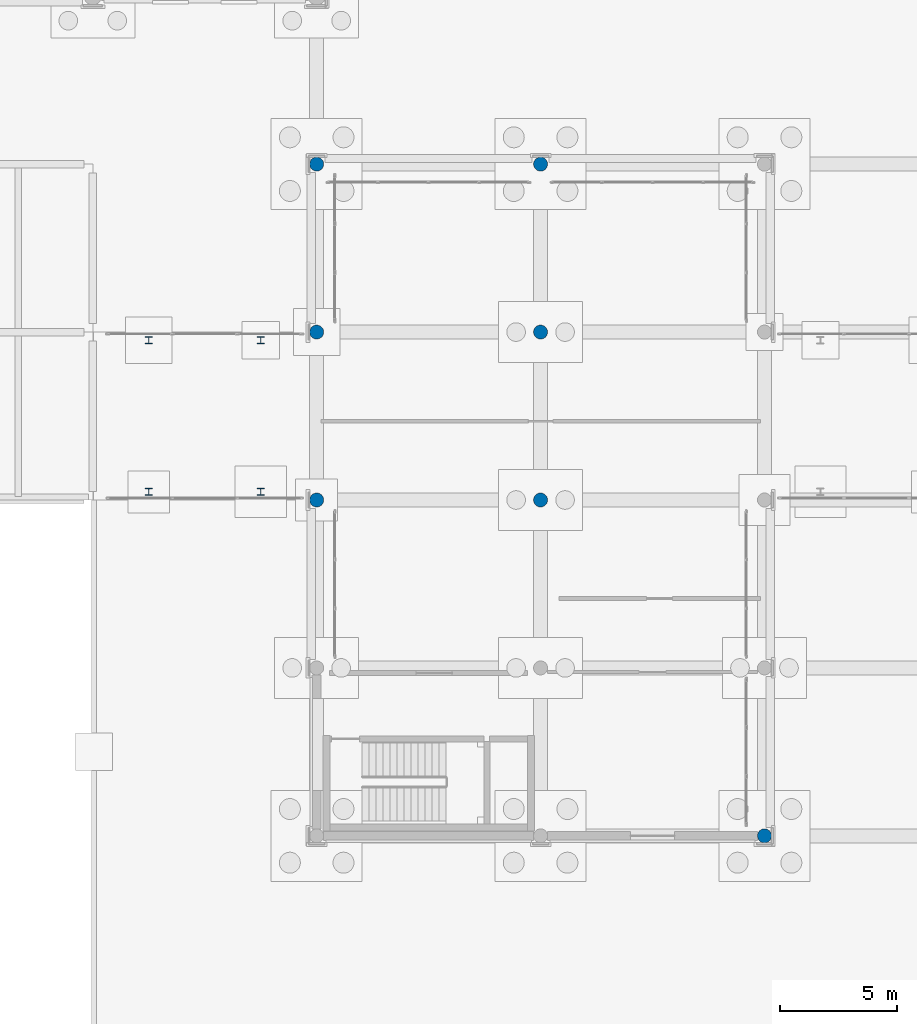
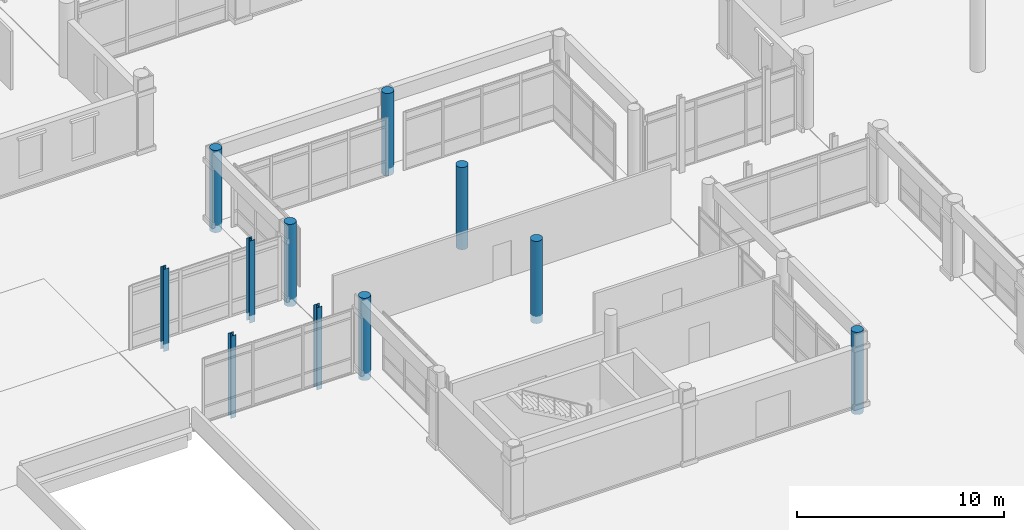
# One storey, part 14 of 196: 11 columns.
"""IFC4 building model written with IfcOpenShell, lengths in metres."""

from ifc_helpers import new_model, si_unit, direction, frame, origin, origin_2d, place, context, subcontext, project, spatial, circle, i_section, extrude, material, material_profile, profile_set, type_object, element, save


model = new_model("IFC4")

# Units and contexts
model_context = context("Model", 3, precision=1e-05, world=origin(), true_north=direction((0.0, 1.0)))
body_context = subcontext(model_context, "Body", "Model", "MODEL_VIEW")
ifc_project = project(units=[si_unit("LENGTHUNIT", "METRE"), si_unit("AREAUNIT", "SQUARE_METRE"), si_unit("VOLUMEUNIT", "CUBIC_METRE"), si_unit("PLANEANGLEUNIT", "RADIAN"), si_unit("MASSUNIT", "GRAM", prefix="KILO")], contexts=[model_context])

# Site, building, storey
site_placement = place(None, origin())
site = spatial("IfcSite", under=ifc_project, at=site_placement, CompositionType="ELEMENT")
building_placement = place(site_placement, origin())
building = spatial("IfcBuilding", under=site, at=building_placement, Name="Asteropetra Specialist Clinic", CompositionType="ELEMENT")
storey_placement = place(building_placement, origin())
storey = spatial("IfcBuildingStorey", under=building, at=storey_placement, Name="L00", CompositionType="ELEMENT", Elevation=0.0)

# Columns
ifc_material_1 = material(Name="Concrete C35/45", Category="concrete")
ifc_material_profile_1 = material_profile(ifc_material_1, circle(Radius=0.300048828125, at=origin_2d()), Name="RCC D600")
ifc_profile_set_1 = profile_set([ifc_material_profile_1], Name="Concrete C35/45")
column_type_1 = type_object("IfcColumnType", Name="COL-IONIC600", PredefinedType="COLUMN", material=ifc_profile_set_1)
for number, where, z_axis, x_axis, name in (
    (1, (76.800048828125, 48.0, -0.43994140625), (0.0, 0.0, 1.0), (1.0, 0.0, 0.0), "Column CCOL14-0560"),
    (2, (76.800048828125, 55.199951171875, -0.43994140625), (0.0, 0.0, 1.0), (1.0, 0.0, 0.0), "Column CCOL14-0561"),
    (3, (76.800048828125, 62.39990234375, -0.43994140625), (0.0, 0.0, 1.0), (1.0, 0.0, 0.0), "Column CCOL14-0562"),
    (4, (86.39990234375, 48.0, -0.43994140625), (0.0, 0.0, 1.0), (1.0, 0.0, 0.0), "Column CCOL14-0597"),
    (5, (86.39990234375, 55.199951171875, -0.43994140625), (0.0, 0.0, 1.0), (1.0, 0.0, 0.0), "Column CCOL14-0598"),
    (6, (86.39990234375, 62.39990234375, -0.43994140625), (0.0, 0.0, 1.0), (1.0, 0.0, 0.0), "Column CCOL14-0599"),
    (7, (96.0, 33.60009765625, -0.43994140625), (0.0, 0.0, 1.0), (1.0, 0.0, 0.0), "Column CCOL14-0616"),
):
    element("IfcColumn", number, at=place(storey_placement, frame(where, z_axis=z_axis, x_axis=x_axis)), inside=storey, type_object=column_type_1, Name=name, PredefinedType="COLUMN", context=body_context, shape_type="SweptSolid", body=[
        extrude(circle(Radius=0.300048828125, at=origin_2d()), origin(), (0.0, 0.0, 1.0), 4.85986328125),
    ])
ifc_material_2 = material(Name="Steel S355", Category="steel")
ifc_material_profile_2 = material_profile(ifc_material_2, i_section(OverallWidth=0.300048828125, OverallDepth=0.300048828125, WebThickness=0.010986328125, FlangeThickness=0.01904296875, FilletRadius=0.027099609375, at=origin_2d()), Name="HEB 300")
ifc_profile_set_2 = profile_set([ifc_material_profile_2], Name="Steel S355")
column_type_2 = type_object("IfcColumnType", Name="COL-STL-HEB300", PredefinedType="COLUMN", material=ifc_profile_set_2)
for number, where, z_axis, x_axis, name in (
    (8, (69.60009765625, 48.35009765625, -0.43994140625), (0.0, 0.0, 1.0), (1.0, 0.0, 0.0), "Column CCOLS1-0549"),
    (9, (69.60009765625, 54.85009765625, -0.43994140625), (0.0, 0.0, 1.0), (1.0, 0.0, 0.0), "Column CCOLS1-0550"),
    (10, (74.39990234375, 48.35009765625, -0.43994140625), (0.0, 0.0, 1.0), (1.0, 0.0, 0.0), "Column CCOLS1-0551"),
    (11, (74.39990234375, 54.85009765625, -0.43994140625), (0.0, 0.0, 1.0), (1.0, 0.0, 0.0), "Column CCOLS1-0552"),
):
    element("IfcColumn", number, at=place(storey_placement, frame(where, z_axis=z_axis, x_axis=x_axis)), inside=storey, type_object=column_type_2, Name=name, PredefinedType="COLUMN", context=body_context, shape_type="SweptSolid", body=[
        extrude(i_section(OverallWidth=0.300048828125, OverallDepth=0.300048828125, WebThickness=0.010986328125, FlangeThickness=0.01904296875, FilletRadius=0.027099609375, at=origin_2d()), origin(), (0.0, 0.0, 1.0), 4.85986328125),
    ])

save(model, "model.ifc")
